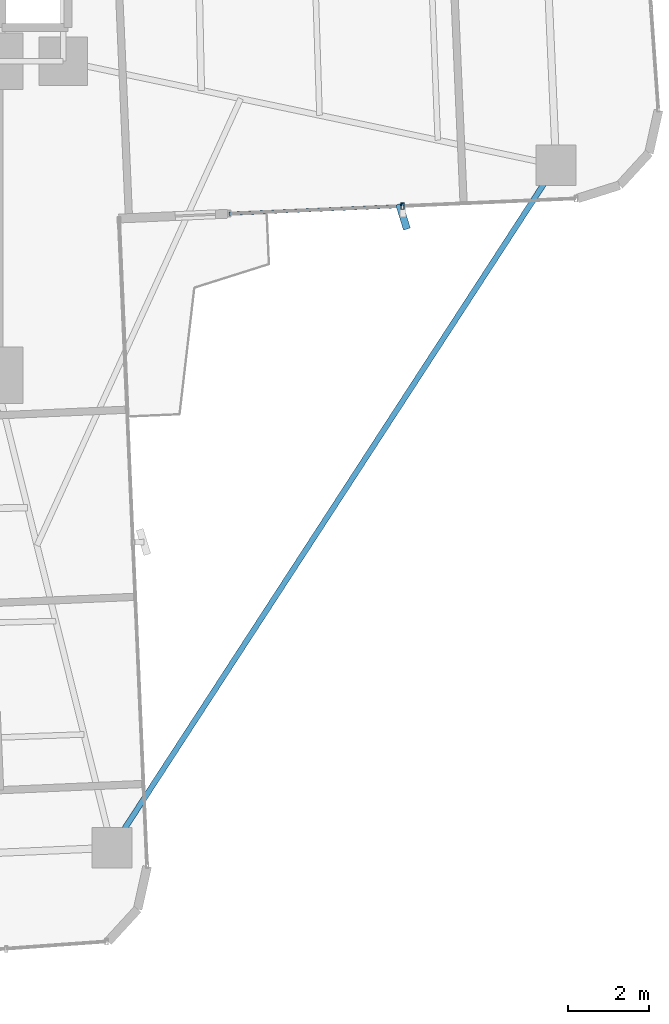
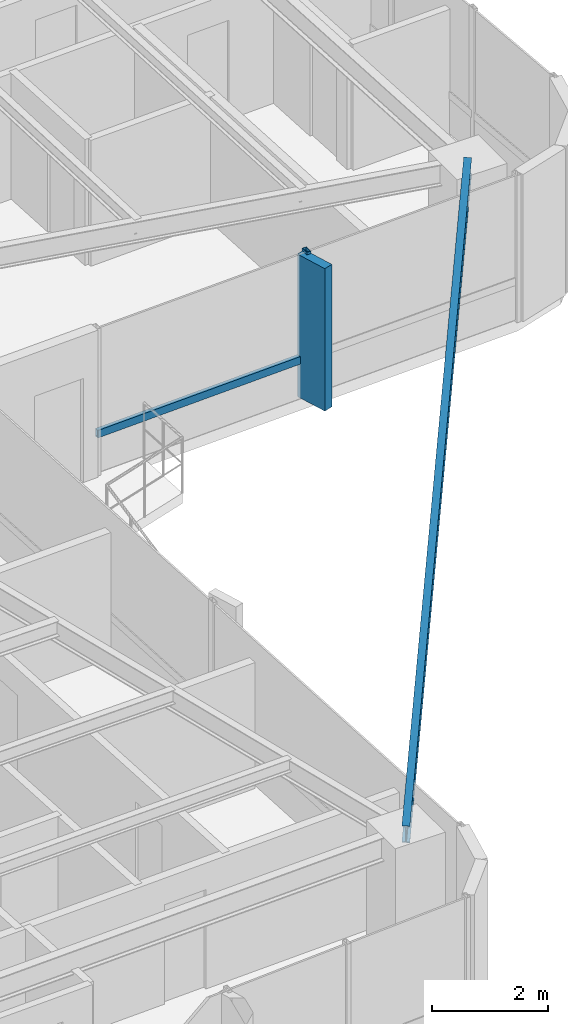
# One storey, part 14 of 26: 3 members, 1 beam, 1 element without a shape of its own.
"""IFC4 building model written with IfcOpenShell, lengths in metres."""

from ifc_helpers import new_model, si_unit, direction, frame, origin, origin_2d, place, context, subcontext, project, spatial, rectangle, hollow_rectangle, i_section, extrude, source, transform, mapped, material, material_profile, profile_set, type_object, element, aggregate, save


model = new_model("IFC4")

# Units and contexts
model_context = context("Model", 3, precision=1e-05, world=origin(), true_north=direction((0.0, 1.0)))
body_context = subcontext(model_context, "Body", "Model", "MODEL_VIEW")
ifc_project = project(units=[si_unit("LENGTHUNIT", "METRE"), si_unit("AREAUNIT", "SQUARE_METRE"), si_unit("VOLUMEUNIT", "CUBIC_METRE"), si_unit("PLANEANGLEUNIT", "RADIAN"), si_unit("MASSUNIT", "GRAM", prefix="KILO")], contexts=[model_context])

# Site, building, storey
site_placement = place(None, origin())
site = spatial("IfcSite", under=ifc_project, at=site_placement, CompositionType="ELEMENT")
building_placement = place(site_placement, origin())
building = spatial("IfcBuilding", under=site, at=building_placement, Name="Sahyath Konkavel Grand Hotel", CompositionType="ELEMENT")
storey_placement = place(building_placement, frame((0.0, 0.0, 128.199951171875)))
storey = spatial("IfcBuildingStorey", under=building, at=storey_placement, Name="L35", CompositionType="ELEMENT", Elevation=128.199951171875)

# Beam
ifc_material_1 = material(Name="Steel E350", Category="steel")
ifc_material_profile_1 = material_profile(ifc_material_1, i_section(OverallWidth=0.139892578125, OverallDepth=0.35009765625, WebThickness=0.008056640625, FlangeThickness=0.01416015625, FilletRadius=0.013916015625, at=origin_2d()), Name="ISMB 350")
ifc_profile_set_1 = profile_set([ifc_material_profile_1], Name="Steel E350")
beam_type = type_object("IfcBeamType", Name="BM-ISMB350", PredefinedType="BEAM", material=ifc_profile_set_1)
shared_shape_1 = source(origin(), body_context, "Body", "SweptSolid", [
    extrude(i_section(OverallWidth=0.139892578125, OverallDepth=0.35009765625, WebThickness=0.008056640625, FlangeThickness=0.01416015625, FilletRadius=0.013916015625, at=origin_2d()), origin(), (0.0, 0.0, 1.0), 20.21533203125),
])
beam_placement = place(storey_placement, frame((17.734130859375, -4.981201171875, 2.93505859375), z_axis=(-0.545191244931, -0.838311700056, 0.0), x_axis=(0.838311700056, -0.545191244931, 0.0)))
element("IfcBeam", 1, at=beam_placement, inside=storey, type_object=beam_type, Name="L35 Re-Entrant Tie Beam SE", PredefinedType="BEAM", context=body_context, shape_type="MappedRepresentation", body=[
    mapped(shared_shape_1, transform((0.0, 0.0, 0.0), scale=1.0)),
])

# Curtain wall, members
ifc_material_2 = material(Name="Anodised Bronze Aluminium & Low-E Glazing", Category="aluminium")
curtain_wall_type = type_object("IfcCurtainWallType", Name="CW-ZONE2", PredefinedType="NOTDEFINED", material=ifc_material_2)
curtain_wall_placement = place(storey_placement, origin())
curtain_wall = element("IfcCurtainWall", 2, at=curtain_wall_placement, inside=storey, type_object=curtain_wall_type, Name="L35 Unitised Curtain Wall F0", PredefinedType="NOTDEFINED")
ifc_material_3 = material(Name="Warm Buff Sandstone Cladding on Concrete C50/60", Category="masonry")
ifc_material_profile_2 = material_profile(ifc_material_3, rectangle(XDim=0.179931640625, YDim=0.64990234375, at=origin_2d()), Name="FIN 180x650")
ifc_profile_set_2 = profile_set([ifc_material_profile_2], Name="Warm Buff Sandstone Cladding on Concrete C50/60")
member_type_1 = type_object("IfcMemberType", Name="FIN-SANDSTONE-650", PredefinedType="MULLION", material=ifc_profile_set_2)
shared_shape_2 = source(origin(), body_context, "Body", "SweptSolid", [
    extrude(rectangle(XDim=0.179931640625, YDim=0.64990234375, at=origin_2d()), origin(), (0.0, 0.0, 1.0), 3.010009765625),
])
member_1_placement = place(storey_placement, frame((13.936279296875, -6.258056640625, 0.050048828125), z_axis=(0.0, 0.0, 1.0), x_axis=(0.955690317134, 0.294373942013, 0.0)))
member_1 = element("IfcMember", 3, at=member_1_placement, type_object=member_type_1, Name="L35 Sandstone Vertical Solar Fin FIN F0-1", PredefinedType="MULLION", context=body_context, shape_type="MappedRepresentation", body=[
    mapped(shared_shape_2, transform((0.0, 0.0, 0.0), scale=1.0)),
])
ifc_material_4 = material(Name="Anodised Bronze Aluminium", Category="aluminium")
ifc_material_profile_3 = material_profile(ifc_material_4, hollow_rectangle(XDim=0.080078125, YDim=0.159912109375, WallThickness=0.006103515625, at=origin_2d()), Name="RHS 160x80x6")
ifc_profile_set_3 = profile_set([ifc_material_profile_3], Name="Anodised Bronze Aluminium")
member_type_2 = type_object("IfcMemberType", Name="CW-MUL-160", PredefinedType="MULLION", material=ifc_profile_set_3)
shared_shape_3 = source(origin(), body_context, "Body", "SweptSolid", [
    extrude(hollow_rectangle(XDim=0.080078125, YDim=0.159912109375, WallThickness=0.006103515625, at=origin_2d()), origin(), (0.0, 0.0, 1.0), 3.110107421875),
])
member_2_placement = place(storey_placement, frame((13.9248046875, -5.998291015625, 0.0), z_axis=(0.0, 0.0, 1.0), x_axis=(1.0, 0.0, 0.0)))
member_2 = element("IfcMember", 4, at=member_2_placement, type_object=member_type_2, Name="L35 Curtain Wall Mullion F0-1", PredefinedType="MULLION", context=body_context, shape_type="MappedRepresentation", body=[
    mapped(shared_shape_3, transform((0.0, 0.0, 0.0), scale=1.0)),
])
ifc_material_profile_4 = material_profile(ifc_material_4, hollow_rectangle(XDim=0.080078125, YDim=0.159912109375, WallThickness=0.006103515625, at=origin_2d()), Name="RHS 160x80x6")
ifc_profile_set_4 = profile_set([ifc_material_profile_4], Name="Anodised Bronze Aluminium")
member_type_3 = type_object("IfcMemberType", Name="CW-TRN-160", PredefinedType="USERDEFINED", material=ifc_profile_set_4)
shared_shape_4 = source(origin(), body_context, "Body", "SweptSolid", [
    extrude(hollow_rectangle(XDim=0.080078125, YDim=0.159912109375, WallThickness=0.006103515625, at=origin_2d()), origin(), (0.0, 0.0, 1.0), 4.31005859375),
])
member_3_placement = place(storey_placement, frame((9.618896484375, -6.186279296875, 0.85009765625), z_axis=(0.999048340188, 0.043616670746, 0.0), x_axis=(-0.043616670746, 0.999048340188, 0.0)))
member_3 = element("IfcMember", 5, at=member_3_placement, type_object=member_type_3, Name="L35 Curtain Wall Transom F0-0-spandrel", ObjectType="TRANSOM", PredefinedType="USERDEFINED", context=body_context, shape_type="MappedRepresentation", body=[
    mapped(shared_shape_4, transform((0.0, 0.0, 0.0), scale=1.0)),
])
aggregate(curtain_wall, [member_2, member_1, member_3])

save(model, "model.ifc")
